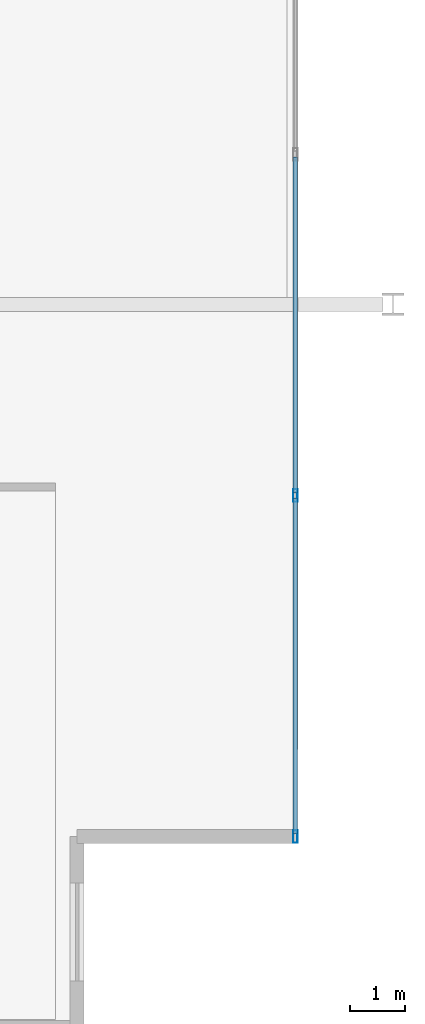
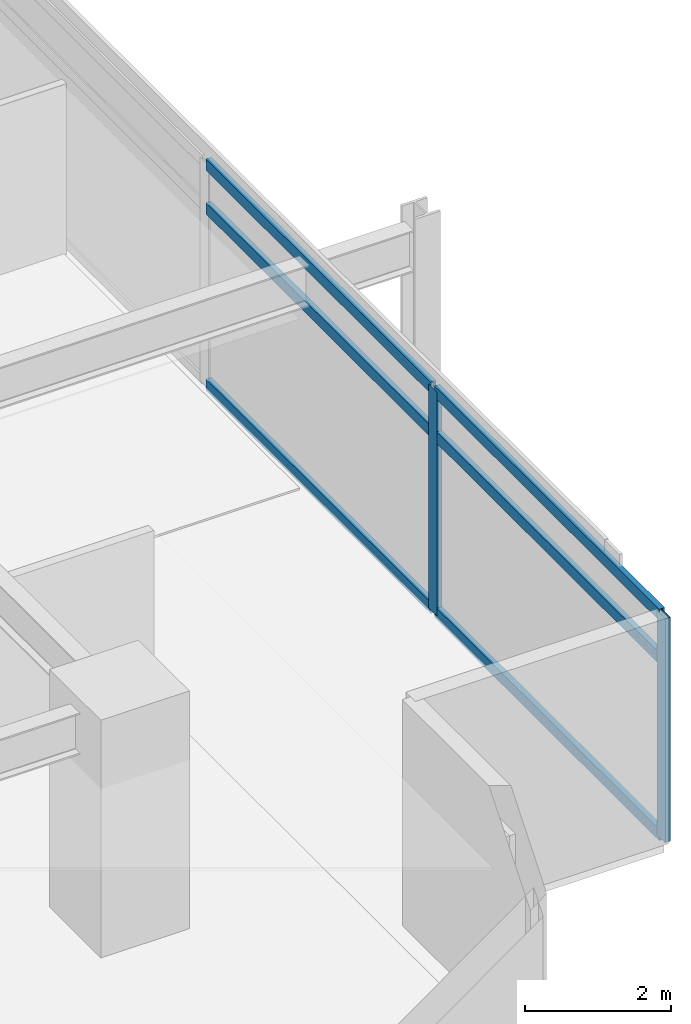
# One storey, part 2 of 22: 8 members, 1 element without a shape of its own.
"""IFC4 building model written with IfcOpenShell, lengths in metres."""

from ifc_helpers import new_model, si_unit, direction, frame, origin, origin_2d, place, context, subcontext, project, spatial, hollow_rectangle, extrude, material, material_profile, profile_set, type_object, element, aggregate, save


model = new_model("IFC4")

# Units and contexts
model_context = context("Model", 3, precision=1e-05, world=origin(), true_north=direction((0.0, 1.0)))
body_context = subcontext(model_context, "Body", "Model", "MODEL_VIEW")
ifc_project = project(units=[si_unit("LENGTHUNIT", "METRE"), si_unit("AREAUNIT", "SQUARE_METRE"), si_unit("VOLUMEUNIT", "CUBIC_METRE"), si_unit("PLANEANGLEUNIT", "RADIAN"), si_unit("MASSUNIT", "GRAM", prefix="KILO")], contexts=[model_context])

# Site, building, storey
site_placement = place(None, origin())
site = spatial("IfcSite", under=ifc_project, at=site_placement, CompositionType="ELEMENT")
building_placement = place(site_placement, origin())
building = spatial("IfcBuilding", under=site, at=building_placement, Name="Kovane Verandah Tower", CompositionType="ELEMENT")
storey_placement = place(building_placement, frame((0.0, 0.0, 225.199951171875)))
storey = spatial("IfcBuildingStorey", under=building, at=storey_placement, Name="L52", CompositionType="ELEMENT", Elevation=225.199951171875)

# Curtain wall, members
ifc_material_1 = material(Name="Champagne Anodised Aluminium Frame with Low-E Clear Laminated Glass", Category="aluminium")
curtain_wall_type = type_object("IfcCurtainWallType", Name="CW-SYS-03-MID", PredefinedType="NOTDEFINED", material=ifc_material_1)
curtain_wall_placement = place(storey_placement, origin())
curtain_wall = element("IfcCurtainWall", 1, at=curtain_wall_placement, inside=storey, type_object=curtain_wall_type, Name="L52 E Unitised Curtain Wall", PredefinedType="NOTDEFINED")
ifc_material_2 = material(Name="Champagne Anodised Aluminium 6063-T6", Category="aluminium")
ifc_material_profile_1 = material_profile(ifc_material_2, hollow_rectangle(XDim=0.0849609375, YDim=0.22998046875, WallThickness=0.00390625, at=origin_2d()), Name="AL85x230x4")
ifc_profile_set_1 = profile_set([ifc_material_profile_1], Name="Champagne Anodised Aluminium 6063-T6")
member_type_1 = type_object("IfcMemberType", Name="CW-MUL-85x230", PredefinedType="MULLION", material=ifc_profile_set_1)
member_1_placement = place(storey_placement, frame((65.809814453125, 8.74365234375, 0.02001953125), z_axis=(0.0, 0.0, 1.0), x_axis=(1.0, 0.0, 0.0)))
member_1 = element("IfcMember", 2, at=member_1_placement, type_object=member_type_1, Name="L52 E Unitised Curtain Wall Mullion 1", PredefinedType="MULLION", context=body_context, shape_type="SweptSolid", body=[
    extrude(hollow_rectangle(XDim=0.0849609375, YDim=0.22998046875, WallThickness=0.00390625, at=origin_2d()), origin(), (0.0, 0.0, 1.0), 3.735107421875),
])
member_2_placement = place(storey_placement, frame((65.809814453125, 14.995849609375, 0.02001953125), z_axis=(0.0, 0.0, 1.0), x_axis=(1.0, 0.0, 0.0)))
member_2 = element("IfcMember", 3, at=member_2_placement, type_object=member_type_1, Name="L52 E Unitised Curtain Wall Mullion 2", PredefinedType="MULLION", context=body_context, shape_type="SweptSolid", body=[
    extrude(hollow_rectangle(XDim=0.0849609375, YDim=0.22998046875, WallThickness=0.00390625, at=origin_2d()), origin(), (0.0, 0.0, 1.0), 3.735107421875),
])
ifc_material_profile_2 = material_profile(ifc_material_2, hollow_rectangle(XDim=0.0849609375, YDim=0.18994140625, WallThickness=0.00390625, at=origin_2d()), Name="AL85x190x4")
ifc_profile_set_2 = profile_set([ifc_material_profile_2], Name="Champagne Anodised Aluminium 6063-T6")
member_type_2 = type_object("IfcMemberType", Name="CW-TRN-85x190", PredefinedType="USERDEFINED", material=ifc_profile_set_2)
member_3_placement = place(storey_placement, frame((65.809814453125, 8.793701171875, 0.050048828125), z_axis=(0.0, 1.0, 0.0), x_axis=(-1.0, 0.0, 0.0)))
member_3 = element("IfcMember", 4, at=member_3_placement, type_object=member_type_2, Name="L52 E Unitised Curtain Wall Transom TB Bay 1", ObjectType="TRANSOM", PredefinedType="USERDEFINED", context=body_context, shape_type="SweptSolid", body=[
    extrude(hollow_rectangle(XDim=0.0849609375, YDim=0.18994140625, WallThickness=0.00390625, at=origin_2d()), origin(), (0.0, 0.0, 1.0), 6.152099609375),
])
member_4_placement = place(storey_placement, frame((65.809814453125, 8.793701171875, 2.9951171875), z_axis=(0.0, 1.0, 0.0), x_axis=(-1.0, 0.0, 0.0)))
member_4 = element("IfcMember", 5, at=member_4_placement, type_object=member_type_2, Name="L52 E Unitised Curtain Wall Transom TM Bay 1", ObjectType="TRANSOM", PredefinedType="USERDEFINED", context=body_context, shape_type="SweptSolid", body=[
    extrude(hollow_rectangle(XDim=0.0849609375, YDim=0.18994140625, WallThickness=0.00390625, at=origin_2d()), origin(), (0.0, 0.0, 1.0), 6.152099609375),
])
member_5_placement = place(storey_placement, frame((65.809814453125, 8.793701171875, 3.72509765625), z_axis=(0.0, 1.0, 0.0), x_axis=(-1.0, 0.0, 0.0)))
member_5 = element("IfcMember", 6, at=member_5_placement, type_object=member_type_2, Name="L52 E Unitised Curtain Wall Transom TT Bay 1", ObjectType="TRANSOM", PredefinedType="USERDEFINED", context=body_context, shape_type="SweptSolid", body=[
    extrude(hollow_rectangle(XDim=0.0849609375, YDim=0.18994140625, WallThickness=0.00390625, at=origin_2d()), origin(), (0.0, 0.0, 1.0), 6.152099609375),
])
member_6_placement = place(storey_placement, frame((65.809814453125, 15.0458984375, 0.050048828125), z_axis=(0.0, 1.0, 0.0), x_axis=(-1.0, 0.0, 0.0)))
member_6 = element("IfcMember", 7, at=member_6_placement, type_object=member_type_2, Name="L52 E Unitised Curtain Wall Transom TB Bay 2", ObjectType="TRANSOM", PredefinedType="USERDEFINED", context=body_context, shape_type="SweptSolid", body=[
    extrude(hollow_rectangle(XDim=0.0849609375, YDim=0.18994140625, WallThickness=0.00390625, at=origin_2d()), origin(), (0.0, 0.0, 1.0), 6.152099609375),
])
member_7_placement = place(storey_placement, frame((65.809814453125, 15.0458984375, 2.9951171875), z_axis=(0.0, 1.0, 0.0), x_axis=(-1.0, 0.0, 0.0)))
member_7 = element("IfcMember", 8, at=member_7_placement, type_object=member_type_2, Name="L52 E Unitised Curtain Wall Transom TM Bay 2", ObjectType="TRANSOM", PredefinedType="USERDEFINED", context=body_context, shape_type="SweptSolid", body=[
    extrude(hollow_rectangle(XDim=0.0849609375, YDim=0.18994140625, WallThickness=0.00390625, at=origin_2d()), origin(), (0.0, 0.0, 1.0), 6.152099609375),
])
member_8_placement = place(storey_placement, frame((65.809814453125, 15.0458984375, 3.72509765625), z_axis=(0.0, 1.0, 0.0), x_axis=(-1.0, 0.0, 0.0)))
member_8 = element("IfcMember", 9, at=member_8_placement, type_object=member_type_2, Name="L52 E Unitised Curtain Wall Transom TT Bay 2", ObjectType="TRANSOM", PredefinedType="USERDEFINED", context=body_context, shape_type="SweptSolid", body=[
    extrude(hollow_rectangle(XDim=0.0849609375, YDim=0.18994140625, WallThickness=0.00390625, at=origin_2d()), origin(), (0.0, 0.0, 1.0), 6.152099609375),
])
aggregate(curtain_wall, [member_1, member_2, member_3, member_4, member_5, member_6, member_7, member_8])

save(model, "model.ifc")
